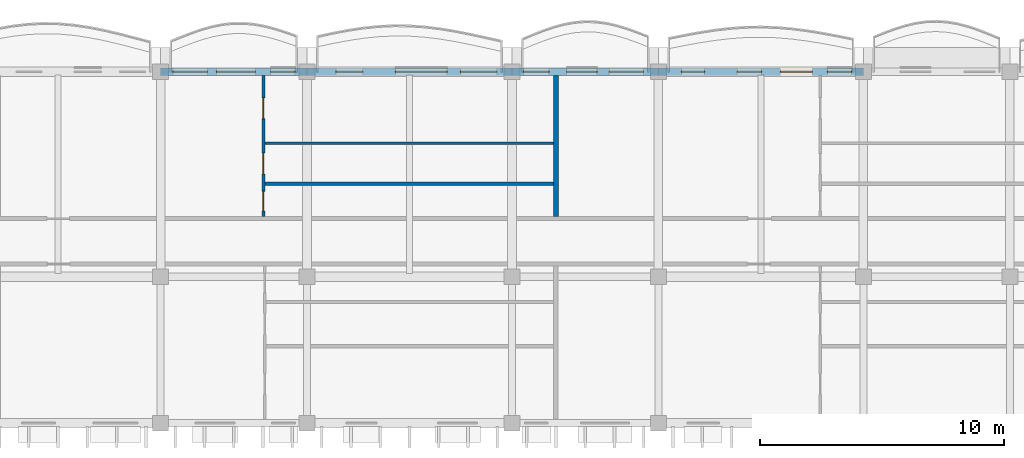
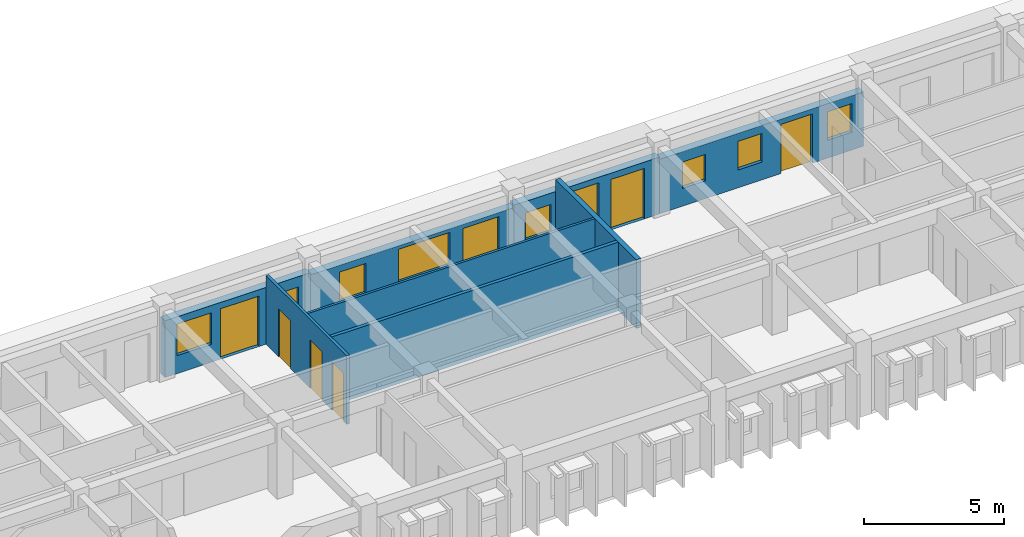
# One storey, part 38 of 76: 9 windows, 8 walls, 7 doors, 16 openings.
"""IFC4 building model written with IfcOpenShell, lengths in metres."""

from ifc_helpers import new_model, si_unit, direction, frame, frame_2d, origin, place, context, subcontext, project, spatial, rectangle, extrude, material, layer, layer_set, type_object, element, fill, save


model = new_model("IFC4")

# Units and contexts
model_context = context("Model", 3, precision=1e-05, world=origin(), true_north=direction((0.0, 1.0)))
body_context = subcontext(model_context, "Body", "Model", "MODEL_VIEW")
ifc_project = project(units=[si_unit("LENGTHUNIT", "METRE"), si_unit("AREAUNIT", "SQUARE_METRE"), si_unit("VOLUMEUNIT", "CUBIC_METRE"), si_unit("PLANEANGLEUNIT", "RADIAN"), si_unit("MASSUNIT", "GRAM", prefix="KILO"), si_unit("THERMODYNAMICTEMPERATUREUNIT", "KELVIN")], contexts=[model_context])

# Site, building, storey
site_placement = place(None, origin())
site = spatial("IfcSite", under=ifc_project, at=site_placement, CompositionType="ELEMENT")
building_placement = place(site_placement, origin())
building = spatial("IfcBuilding", under=site, at=building_placement, Name="Thalorik Housing Commons", CompositionType="ELEMENT")
storey_placement = place(building_placement, frame((0.0, 0.0, 18.0)))
storey = spatial("IfcBuildingStorey", under=building, at=storey_placement, Name="L05", CompositionType="ELEMENT", Elevation=18.0)

# Wall, openings, door, windows
ifc_material_1 = material(Name="White precast concrete C40/50", Category="concrete")
ifc_layer_1 = layer(ifc_material_1, 0.320068359375, Name="White precast concrete C40/50", Category="concrete")
ifc_layer_set_1 = layer_set([ifc_layer_1], Name="White precast concrete C40/50")
wall_type_1 = type_object("IfcWallType", Name="ARC-WAL-EXT-320", PredefinedType="STANDARD", material=ifc_layer_set_1)
wall_1_placement = place(storey_placement, frame((138.0, 123.60009765625, 0.0), z_axis=(0.0, 0.0, 1.0), x_axis=(-1.0, 0.0, 0.0)))
wall_1 = element("IfcWall", 1, at=wall_1_placement, inside=storey, type_object=wall_type_1, Name="L05 Exterior Wall WAL-EXT-L05-B-0566", PredefinedType="STANDARD", context=body_context, shape_type="SweptSolid", body=[
    extrude(rectangle(XDim=8.39990234375, YDim=0.320068359375, at=frame_2d((4.199951171875, 0.0))), origin(), (0.0, 0.0, 1.0), 2.375),
])
opening_1_placement = place(wall_1_placement, frame((2.097900390625, 0.0, 0.0)))
opening_1 = element("IfcOpeningElement", 2, at=opening_1_placement, cuts=wall_1, Name="Opening ED-0179", PredefinedType="OPENING", context=body_context, shape_type="SweptSolid", body=[
    extrude(rectangle(XDim=1.300048828125, YDim=2.14990234375, at=frame_2d((0.64990234375, 1.074951171875))), frame((0.0, 0.169921875, 0.0), z_axis=(0.0, -1.0, 0.0), x_axis=(1.0, 0.0, 0.0)), (0.0, 0.0, 1.0), 0.340087890625),
])
opening_2_placement = place(wall_1_placement, frame((0.47900390625, 0.0, 0.780029296875)))
opening_2 = element("IfcOpeningElement", 3, at=opening_2_placement, cuts=wall_1, Name="Opening W-02", PredefinedType="OPENING", context=body_context, shape_type="SweptSolid", body=[
    extrude(rectangle(XDim=1.0, YDim=1.25, at=frame_2d((0.5, 0.625))), frame((0.0, 0.169921875, 0.0), z_axis=(0.0, -1.0, 0.0), x_axis=(1.0, 0.0, 0.0)), (0.0, 0.0, 1.0), 0.340087890625),
])
opening_3_placement = place(wall_1_placement, frame((4.173583984375, 0.0, 0.780029296875)))
opening_3 = element("IfcOpeningElement", 4, at=opening_3_placement, cuts=wall_1, Name="Opening W-02", PredefinedType="OPENING", context=body_context, shape_type="SweptSolid", body=[
    extrude(rectangle(XDim=1.0, YDim=1.25, at=frame_2d((0.5, 0.625))), frame((0.0, 0.169921875, 0.0), z_axis=(0.0, -1.0, 0.0), x_axis=(1.0, 0.0, 0.0)), (0.0, 0.0, 1.0), 0.340087890625),
])
opening_4_placement = place(wall_1_placement, frame((6.509521484375, 0.0, 0.780029296875)))
opening_4 = element("IfcOpeningElement", 5, at=opening_4_placement, cuts=wall_1, Name="Opening W-43", PredefinedType="OPENING", context=body_context, shape_type="SweptSolid", body=[
    extrude(rectangle(XDim=0.949951171875, YDim=1.14990234375, at=frame_2d((0.47509765625, 0.574951171875))), frame((0.0, 0.169921875, 0.0), z_axis=(0.0, -1.0, 0.0), x_axis=(1.0, 0.0, 0.0)), (0.0, 0.0, 1.0), 0.340087890625),
])
ifc_material_2 = material(Name="Anodised aluminium and laminated safety glass", Category="aluminium")
door_type_1 = type_object("IfcDoorType", Name="ARC-DR-BAL-1300", OperationType="NOTDEFINED", PredefinedType="DOOR", material=ifc_material_2)
door_1_placement = place(opening_1_placement, frame((1.300048828125, 0.0, 0.0), z_axis=(0.0, 0.0, 1.0), x_axis=(-1.0, 0.0, 0.0)))
door_1 = element("IfcDoor", 6, at=door_1_placement, inside=storey, type_object=door_type_1, Name="L05 Block B Balcony Glazed Door", OperationType="SINGLE_SWING_RIGHT", OverallHeight=2.14990234375, OverallWidth=1.300048828125, PredefinedType="DOOR", context=body_context, shape_type="SweptSolid", body=[
    extrude(rectangle(XDim=1.300048828125, YDim=2.14990234375, at=frame_2d((0.64990234375, 1.074951171875))), frame((0.0, 0.02490234375, 0.0), z_axis=(0.0, -1.0, 0.0), x_axis=(1.0, 0.0, 0.0)), (0.0, 0.0, 1.0), 0.050048828125),
])
fill(opening_1, door_1)
ifc_material_3 = material(Name="Anodised aluminium and solar-control low-E glass", Category="aluminium")
window_type_1 = type_object("IfcWindowType", Name="ARC-WIN-02", PartitioningType="SINGLE_PANEL", PredefinedType="WINDOW", material=ifc_material_3)
window_1_placement = place(opening_2_placement, origin())
window_1 = element("IfcWindow", 7, at=window_1_placement, inside=storey, type_object=window_type_1, Name="L05 Facade Window 1024", OverallHeight=1.25, OverallWidth=1.0, PartitioningType="SINGLE_PANEL", PredefinedType="WINDOW", context=body_context, shape_type="SweptSolid", body=[
    extrude(rectangle(XDim=1.0, YDim=1.25, at=frame_2d((0.5, 0.625))), frame((0.0, 0.030029296875, 0.0), z_axis=(0.0, -1.0, 0.0), x_axis=(1.0, 0.0, 0.0)), (0.0, 0.0, 1.0), 0.06005859375),
])
fill(opening_2, window_1)
window_2_placement = place(opening_3_placement, origin())
window_2 = element("IfcWindow", 8, at=window_2_placement, inside=storey, type_object=window_type_1, Name="L05 Facade Window 1025", OverallHeight=1.25, OverallWidth=1.0, PartitioningType="SINGLE_PANEL", PredefinedType="WINDOW", context=body_context, shape_type="SweptSolid", body=[
    extrude(rectangle(XDim=1.0, YDim=1.25, at=frame_2d((0.5, 0.625))), frame((0.0, 0.030029296875, 0.0), z_axis=(0.0, -1.0, 0.0), x_axis=(1.0, 0.0, 0.0)), (0.0, 0.0, 1.0), 0.06005859375),
])
fill(opening_3, window_2)
window_type_2 = type_object("IfcWindowType", Name="ARC-WIN-43", PartitioningType="SINGLE_PANEL", PredefinedType="WINDOW", material=ifc_material_3)
window_3_placement = place(opening_4_placement, origin())
window_3 = element("IfcWindow", 9, at=window_3_placement, inside=storey, type_object=window_type_2, Name="L05 Facade Window 1026", OverallHeight=1.14990234375, OverallWidth=0.949951171875, PartitioningType="SINGLE_PANEL", PredefinedType="WINDOW", context=body_context, shape_type="SweptSolid", body=[
    extrude(rectangle(XDim=0.949951171875, YDim=1.14990234375, at=frame_2d((0.47509765625, 0.574951171875))), frame((0.0, 0.030029296875, 0.0), z_axis=(0.0, -1.0, 0.0), x_axis=(1.0, 0.0, 0.0)), (0.0, 0.0, 1.0), 0.06005859375),
])
fill(opening_4, window_3)

wall_2_placement = place(storey_placement, frame((129.60009765625, 123.60009765625, 0.0), z_axis=(0.0, 0.0, 1.0), x_axis=(-1.0, 0.0, 0.0)))
wall_2 = element("IfcWall", 10, at=wall_2_placement, inside=storey, type_object=wall_type_1, Name="L05 Exterior Wall WAL-EXT-L05-B-0567", PredefinedType="STANDARD", context=body_context, shape_type="SweptSolid", body=[
    extrude(rectangle(XDim=6.0, YDim=0.320068359375, at=frame_2d((3.0, 0.0))), origin(), (0.0, 0.0, 1.0), 2.47509765625),
])
opening_5_placement = place(wall_2_placement, frame((0.6201171875, 0.0, 0.0)))
opening_5 = element("IfcOpeningElement", 11, at=opening_5_placement, cuts=wall_2, Name="Opening ED-0180", PredefinedType="OPENING", context=body_context, shape_type="SweptSolid", body=[
    extrude(rectangle(XDim=1.39990234375, YDim=2.199951171875, at=frame_2d((0.699951171875, 1.10009765625))), frame((0.0, 0.169921875, 0.0), z_axis=(0.0, -1.0, 0.0), x_axis=(1.0, 0.0, 0.0)), (0.0, 0.0, 1.0), 0.340087890625),
])
opening_6_placement = place(wall_2_placement, frame((2.510009765625, 0.0, 0.780029296875)))
opening_6 = element("IfcOpeningElement", 12, at=opening_6_placement, cuts=wall_2, Name="Opening W-47", PredefinedType="OPENING", context=body_context, shape_type="SweptSolid", body=[
    extrude(rectangle(XDim=1.25, YDim=1.449951171875, at=frame_2d((0.625, 0.72509765625))), frame((0.0, 0.169921875, 0.0), z_axis=(0.0, -1.0, 0.0), x_axis=(1.0, 0.0, 0.0)), (0.0, 0.0, 1.0), 0.340087890625),
])
opening_7_placement = place(wall_2_placement, frame((4.47998046875, 0.0, 0.780029296875)))
opening_7 = element("IfcOpeningElement", 13, at=opening_7_placement, cuts=wall_2, Name="Opening W-44", PredefinedType="OPENING", context=body_context, shape_type="SweptSolid", body=[
    extrude(rectangle(XDim=1.050048828125, YDim=1.199951171875, at=frame_2d((0.52490234375, 0.60009765625))), frame((0.0, 0.169921875, 0.0), z_axis=(0.0, -1.0, 0.0), x_axis=(1.0, 0.0, 0.0)), (0.0, 0.0, 1.0), 0.340087890625),
])
door_type_2 = type_object("IfcDoorType", Name="ARC-DR-BAL-1400", OperationType="NOTDEFINED", PredefinedType="DOOR", material=ifc_material_2)
door_2_placement = place(opening_5_placement, frame((1.39990234375, 0.0, 0.0), z_axis=(0.0, 0.0, 1.0), x_axis=(-1.0, 0.0, 0.0)))
door_2 = element("IfcDoor", 14, at=door_2_placement, inside=storey, type_object=door_type_2, Name="L05 Block B Balcony Glazed Door", OperationType="SLIDING_TO_LEFT", OverallHeight=2.199951171875, OverallWidth=1.39990234375, PredefinedType="DOOR", context=body_context, shape_type="SweptSolid", body=[
    extrude(rectangle(XDim=1.39990234375, YDim=2.199951171875, at=frame_2d((0.699951171875, 1.10009765625))), frame((0.0, 0.02490234375, 0.0), z_axis=(0.0, -1.0, 0.0), x_axis=(1.0, 0.0, 0.0)), (0.0, 0.0, 1.0), 0.050048828125),
])
fill(opening_5, door_2)
window_type_3 = type_object("IfcWindowType", Name="ARC-WIN-44", PartitioningType="SINGLE_PANEL", PredefinedType="WINDOW", material=ifc_material_3)
window_4_placement = place(opening_7_placement, origin())
window_4 = element("IfcWindow", 15, at=window_4_placement, inside=storey, type_object=window_type_3, Name="L05 Facade Window 1028", OverallHeight=1.199951171875, OverallWidth=1.050048828125, PartitioningType="SINGLE_PANEL", PredefinedType="WINDOW", context=body_context, shape_type="SweptSolid", body=[
    extrude(rectangle(XDim=1.050048828125, YDim=1.199951171875, at=frame_2d((0.52490234375, 0.60009765625))), frame((0.0, 0.030029296875, 0.0), z_axis=(0.0, -1.0, 0.0), x_axis=(1.0, 0.0, 0.0)), (0.0, 0.0, 1.0), 0.06005859375),
])
fill(opening_7, window_4)
window_type_4 = type_object("IfcWindowType", Name="ARC-WIN-47", PartitioningType="SINGLE_PANEL", PredefinedType="WINDOW", material=ifc_material_3)
window_5_placement = place(opening_6_placement, origin())
window_5 = element("IfcWindow", 16, at=window_5_placement, inside=storey, type_object=window_type_4, Name="L05 Facade Window 1027", OverallHeight=1.449951171875, OverallWidth=1.25, PartitioningType="SINGLE_PANEL", PredefinedType="WINDOW", context=body_context, shape_type="SweptSolid", body=[
    extrude(rectangle(XDim=1.25, YDim=1.449951171875, at=frame_2d((0.625, 0.72509765625))), frame((0.0, 0.030029296875, 0.0), z_axis=(0.0, -1.0, 0.0), x_axis=(1.0, 0.0, 0.0)), (0.0, 0.0, 1.0), 0.06005859375),
])
fill(opening_6, window_5)

wall_3_placement = place(storey_placement, frame((123.60009765625, 123.60009765625, 0.0), z_axis=(0.0, 0.0, 1.0), x_axis=(-1.0, 0.0, 0.0)))
wall_3 = element("IfcWall", 17, at=wall_3_placement, inside=storey, type_object=wall_type_1, Name="L05 Exterior Wall WAL-EXT-L05-B-0568", PredefinedType="STANDARD", context=body_context, shape_type="SweptSolid", body=[
    extrude(rectangle(XDim=8.400146484375, YDim=0.320068359375, at=frame_2d((4.2001953125, 0.0))), origin(), (0.0, 0.0, 1.0), 2.375),
])
opening_8_placement = place(wall_3_placement, frame((0.6201171875, 0.0, 0.0)))
opening_8 = element("IfcOpeningElement", 18, at=opening_8_placement, cuts=wall_3, Name="Opening ED-0181", PredefinedType="OPENING", context=body_context, shape_type="SweptSolid", body=[
    extrude(rectangle(XDim=1.5, YDim=2.199951171875, at=frame_2d((0.75, 1.10009765625))), frame((0.0, 0.169921875, 0.0), z_axis=(0.0, -1.0, 0.0), x_axis=(1.0, 0.0, 0.0)), (0.0, 0.0, 1.0), 0.340087890625),
])
opening_9_placement = place(wall_3_placement, frame((2.655029296875, 0.0, 0.780029296875)))
opening_9 = element("IfcOpeningElement", 19, at=opening_9_placement, cuts=wall_3, Name="Opening W-64", PredefinedType="OPENING", context=body_context, shape_type="SweptSolid", body=[
    extrude(rectangle(XDim=2.1201171875, YDim=1.43994140625, at=frame_2d((1.06005859375, 0.719970703125))), frame((0.0, 0.169921875, 0.0), z_axis=(0.0, -1.0, 0.0), x_axis=(1.0, 0.0, 0.0)), (0.0, 0.0, 1.0), 0.340087890625),
])
opening_10_placement = place(wall_3_placement, frame((6.114990234375, 0.0, 0.780029296875)))
opening_10 = element("IfcOpeningElement", 20, at=opening_10_placement, cuts=wall_3, Name="Opening W-03", PredefinedType="OPENING", context=body_context, shape_type="SweptSolid", body=[
    extrude(rectangle(XDim=1.10009765625, YDim=1.300048828125, at=frame_2d((0.550048828125, 0.64990234375))), frame((0.0, 0.169921875, 0.0), z_axis=(0.0, -1.0, 0.0), x_axis=(1.0, 0.0, 0.0)), (0.0, 0.0, 1.0), 0.340087890625),
])
door_type_3 = type_object("IfcDoorType", Name="ARC-DR-BAL-1500", OperationType="NOTDEFINED", PredefinedType="DOOR", material=ifc_material_2)
door_3_placement = place(opening_8_placement, frame((1.5, 0.0, 0.0), z_axis=(0.0, 0.0, 1.0), x_axis=(-1.0, 0.0, 0.0)))
door_3 = element("IfcDoor", 21, at=door_3_placement, inside=storey, type_object=door_type_3, Name="L05 Block B Balcony Glazed Door", OperationType="SLIDING_TO_RIGHT", OverallHeight=2.199951171875, OverallWidth=1.5, PredefinedType="DOOR", context=body_context, shape_type="SweptSolid", body=[
    extrude(rectangle(XDim=1.5, YDim=2.199951171875, at=frame_2d((0.75, 1.10009765625))), frame((0.0, 0.02490234375, 0.0), z_axis=(0.0, -1.0, 0.0), x_axis=(1.0, 0.0, 0.0)), (0.0, 0.0, 1.0), 0.050048828125),
])
fill(opening_8, door_3)
window_type_5 = type_object("IfcWindowType", Name="ARC-WIN-03", PartitioningType="SINGLE_PANEL", PredefinedType="WINDOW", material=ifc_material_3)
window_6_placement = place(opening_10_placement, origin())
window_6 = element("IfcWindow", 22, at=window_6_placement, inside=storey, type_object=window_type_5, Name="L05 Facade Window 1030", OverallHeight=1.300048828125, OverallWidth=1.10009765625, PartitioningType="SINGLE_PANEL", PredefinedType="WINDOW", context=body_context, shape_type="SweptSolid", body=[
    extrude(rectangle(XDim=1.10009765625, YDim=1.300048828125, at=frame_2d((0.550048828125, 0.64990234375))), frame((0.0, 0.030029296875, 0.0), z_axis=(0.0, -1.0, 0.0), x_axis=(1.0, 0.0, 0.0)), (0.0, 0.0, 1.0), 0.06005859375),
])
fill(opening_10, window_6)
window_type_6 = type_object("IfcWindowType", Name="ARC-WIN-64", PartitioningType="DOUBLE_PANEL_VERTICAL", PredefinedType="WINDOW", material=ifc_material_3)
window_7_placement = place(opening_9_placement, origin())
window_7 = element("IfcWindow", 23, at=window_7_placement, inside=storey, type_object=window_type_6, Name="L05 Facade Window 1029", OverallHeight=1.43994140625, OverallWidth=2.1201171875, PartitioningType="DOUBLE_PANEL_VERTICAL", PredefinedType="WINDOW", context=body_context, shape_type="SweptSolid", body=[
    extrude(rectangle(XDim=2.1201171875, YDim=1.43994140625, at=frame_2d((1.06005859375, 0.719970703125))), frame((0.0, 0.030029296875, 0.0), z_axis=(0.0, -1.0, 0.0), x_axis=(1.0, 0.0, 0.0)), (0.0, 0.0, 1.0), 0.06005859375),
])
fill(opening_9, window_7)

wall_4_placement = place(storey_placement, frame((115.199951171875, 123.60009765625, 0.0), z_axis=(0.0, 0.0, 1.0), x_axis=(-1.0, 0.0, 0.0)))
wall_4 = element("IfcWall", 24, at=wall_4_placement, inside=storey, type_object=wall_type_1, Name="L05 Exterior Wall WAL-EXT-L05-B-0569", PredefinedType="STANDARD", context=body_context, shape_type="SweptSolid", body=[
    extrude(rectangle(XDim=6.0, YDim=0.320068359375, at=frame_2d((3.0, 0.0))), origin(), (0.0, 0.0, 1.0), 2.47509765625),
])
opening_11_placement = place(wall_4_placement, frame((2.1171875, 0.0, 0.0)))
opening_11 = element("IfcOpeningElement", 25, at=opening_11_placement, cuts=wall_4, Name="Opening ED-0182", PredefinedType="OPENING", context=body_context, shape_type="SweptSolid", body=[
    extrude(rectangle(XDim=1.60009765625, YDim=2.199951171875, at=frame_2d((0.800048828125, 1.10009765625))), frame((0.0, 0.169921875, 0.0), z_axis=(0.0, -1.0, 0.0), x_axis=(1.0, 0.0, 0.0)), (0.0, 0.0, 1.0), 0.340087890625),
])
opening_12_placement = place(wall_4_placement, frame((0.488525390625, 0.0, 0.780029296875)))
opening_12 = element("IfcOpeningElement", 26, at=opening_12_placement, cuts=wall_4, Name="Opening W-02", PredefinedType="OPENING", context=body_context, shape_type="SweptSolid", body=[
    extrude(rectangle(XDim=1.0, YDim=1.25, at=frame_2d((0.5, 0.625))), frame((0.0, 0.169921875, 0.0), z_axis=(0.0, -1.0, 0.0), x_axis=(1.0, 0.0, 0.0)), (0.0, 0.0, 1.0), 0.340087890625),
])
opening_13_placement = place(wall_4_placement, frame((4.07861328125, 0.0, 0.780029296875)))
opening_13 = element("IfcOpeningElement", 27, at=opening_13_placement, cuts=wall_4, Name="Opening W-50", PredefinedType="OPENING", context=body_context, shape_type="SweptSolid", body=[
    extrude(rectangle(XDim=1.419921875, YDim=1.3798828125, at=frame_2d((0.7099609375, 0.68994140625))), frame((0.0, 0.169921875, 0.0), z_axis=(0.0, -1.0, 0.0), x_axis=(1.0, 0.0, 0.0)), (0.0, 0.0, 1.0), 0.340087890625),
])
door_type_4 = type_object("IfcDoorType", Name="ARC-DR-BAL-1600", OperationType="NOTDEFINED", PredefinedType="DOOR", material=ifc_material_2)
door_4_placement = place(opening_11_placement, frame((1.60009765625, 0.0, 0.0), z_axis=(0.0, 0.0, 1.0), x_axis=(-1.0, 0.0, 0.0)))
door_4 = element("IfcDoor", 28, at=door_4_placement, inside=storey, type_object=door_type_4, Name="L05 Block B Balcony Glazed Door", OperationType="SLIDING_TO_LEFT", OverallHeight=2.199951171875, OverallWidth=1.60009765625, PredefinedType="DOOR", context=body_context, shape_type="SweptSolid", body=[
    extrude(rectangle(XDim=1.60009765625, YDim=2.199951171875, at=frame_2d((0.800048828125, 1.10009765625))), frame((0.0, 0.02490234375, 0.0), z_axis=(0.0, -1.0, 0.0), x_axis=(1.0, 0.0, 0.0)), (0.0, 0.0, 1.0), 0.050048828125),
])
fill(opening_11, door_4)
window_8_placement = place(opening_12_placement, origin())
window_8 = element("IfcWindow", 29, at=window_8_placement, inside=storey, type_object=window_type_1, Name="L05 Facade Window 1031", OverallHeight=1.25, OverallWidth=1.0, PartitioningType="SINGLE_PANEL", PredefinedType="WINDOW", context=body_context, shape_type="SweptSolid", body=[
    extrude(rectangle(XDim=1.0, YDim=1.25, at=frame_2d((0.5, 0.625))), frame((0.0, 0.030029296875, 0.0), z_axis=(0.0, -1.0, 0.0), x_axis=(1.0, 0.0, 0.0)), (0.0, 0.0, 1.0), 0.06005859375),
])
fill(opening_12, window_8)
window_type_7 = type_object("IfcWindowType", Name="ARC-WIN-50", PartitioningType="SINGLE_PANEL", PredefinedType="WINDOW", material=ifc_material_3)
window_9_placement = place(opening_13_placement, origin())
window_9 = element("IfcWindow", 30, at=window_9_placement, inside=storey, type_object=window_type_7, Name="L05 Facade Window 1032", OverallHeight=1.3798828125, OverallWidth=1.419921875, PartitioningType="SINGLE_PANEL", PredefinedType="WINDOW", context=body_context, shape_type="SweptSolid", body=[
    extrude(rectangle(XDim=1.419921875, YDim=1.3798828125, at=frame_2d((0.7099609375, 0.68994140625))), frame((0.0, 0.030029296875, 0.0), z_axis=(0.0, -1.0, 0.0), x_axis=(1.0, 0.0, 0.0)), (0.0, 0.0, 1.0), 0.06005859375),
])
fill(opening_13, window_9)

# Wall
ifc_material_4 = material(Name="Gypsum light stud partition", Category="masonry")
ifc_layer_2 = layer(ifc_material_4, 0.10009765625, Name="Gypsum light stud partition", Category="masonry")
ifc_layer_set_2 = layer_set([ifc_layer_2], Name="Gypsum light stud partition")
wall_type_2 = type_object("IfcWallType", Name="ARC-WAL-PART-100", PredefinedType="PARTITIONING", material=ifc_layer_set_2)
wall_5_placement = place(storey_placement, frame((113.472412109375, 120.67919921875, 0.0), z_axis=(0.0, 0.0, 1.0), x_axis=(1.0, 0.0, 0.0)))
element("IfcWall", 31, at=wall_5_placement, inside=storey, type_object=wall_type_2, Name="L05 Unit 2B Bedroom Partition", PredefinedType="PARTITIONING", context=body_context, shape_type="SweptSolid", body=[
    extrude(rectangle(XDim=11.82568359375, YDim=0.10009765625, at=frame_2d((5.912841796875, 0.0))), origin(), (0.0, 0.0, 1.0), 3.0),
])

# Wall, openings, doors
ifc_material_5 = material(Name="Gypsum moisture-resistant partition", Category="masonry")
ifc_layer_3 = layer(ifc_material_5, 0.114990234375, Name="Gypsum moisture-resistant partition", Category="masonry")
ifc_layer_set_3 = layer_set([ifc_layer_3], Name="Gypsum moisture-resistant partition")
wall_type_3 = type_object("IfcWallType", Name="ARC-WAL-PART-115", PredefinedType="PARTITIONING", material=ifc_layer_set_3)
wall_6_placement = place(storey_placement, frame((113.412841796875, 117.66455078125, 0.0), z_axis=(0.0, 0.0, 1.0), x_axis=(0.0, 1.0, 0.0)))
wall_6 = element("IfcWall", 32, at=wall_6_placement, inside=storey, type_object=wall_type_3, Name="L05 Unit 2B Spine Partition", PredefinedType="PARTITIONING", context=body_context, shape_type="SweptSolid", body=[
    extrude(rectangle(XDim=5.7734375, YDim=0.114990234375, at=frame_2d((2.88671875, 0.0))), origin(), (0.0, 0.0, 1.0), 3.0),
])
opening_14_placement = place(wall_6_placement, frame((0.230712890625, 0.0, 0.0)))
opening_14 = element("IfcOpeningElement", 33, at=opening_14_placement, cuts=wall_6, Name="Opening ID-1181", PredefinedType="OPENING", context=body_context, shape_type="SweptSolid", body=[
    extrude(rectangle(XDim=0.800048828125, YDim=2.10009765625, at=frame_2d((0.39990234375, 1.050048828125))), frame((0.0, 0.0673828125, 0.0), z_axis=(0.0, -1.0, 0.0), x_axis=(1.0, 0.0, 0.0)), (0.0, 0.0, 1.0), 0.135009765625),
])
opening_15_placement = place(wall_6_placement, frame((1.75537109375, 0.0, 0.0)))
opening_15 = element("IfcOpeningElement", 34, at=opening_15_placement, cuts=wall_6, Name="Opening ID-1182", PredefinedType="OPENING", context=body_context, shape_type="SweptSolid", body=[
    extrude(rectangle(XDim=0.85009765625, YDim=2.10009765625, at=frame_2d((0.425048828125, 1.050048828125))), frame((0.0, 0.0673828125, 0.0), z_axis=(0.0, -1.0, 0.0), x_axis=(1.0, 0.0, 0.0)), (0.0, 0.0, 1.0), 0.135009765625),
])
opening_16_placement = place(wall_6_placement, frame((4.02001953125, 0.0, 0.0)))
opening_16 = element("IfcOpeningElement", 35, at=opening_16_placement, cuts=wall_6, Name="Opening ID-1183", PredefinedType="OPENING", context=body_context, shape_type="SweptSolid", body=[
    extrude(rectangle(XDim=0.85009765625, YDim=2.10009765625, at=frame_2d((0.425048828125, 1.050048828125))), frame((0.0, 0.0673828125, 0.0), z_axis=(0.0, -1.0, 0.0), x_axis=(1.0, 0.0, 0.0)), (0.0, 0.0, 1.0), 0.135009765625),
])
ifc_material_6 = material(Name="Moisture-resistant timber", Category="wood")
door_type_5 = type_object("IfcDoorType", Name="ARC-DR-INT-800", OperationType="NOTDEFINED", PredefinedType="DOOR", material=ifc_material_6)
door_5_placement = place(opening_14_placement, origin())
door_5 = element("IfcDoor", 36, at=door_5_placement, inside=storey, type_object=door_type_5, Name="L05 Flat Bathroom Door", OperationType="SINGLE_SWING_RIGHT", OverallHeight=2.10009765625, OverallWidth=0.800048828125, PredefinedType="DOOR", context=body_context, shape_type="SweptSolid", body=[
    extrude(rectangle(XDim=0.800048828125, YDim=2.10009765625, at=frame_2d((0.39990234375, 1.050048828125))), frame((0.0, 0.02490234375, 0.0), z_axis=(0.0, -1.0, 0.0), x_axis=(1.0, 0.0, 0.0)), (0.0, 0.0, 1.0), 0.050048828125),
])
fill(opening_14, door_5)
ifc_material_7 = material(Name="Engineered oak timber", Category="wood")
door_type_6 = type_object("IfcDoorType", Name="ARC-DR-INT-850", OperationType="NOTDEFINED", PredefinedType="DOOR", material=ifc_material_7)
door_6_placement = place(opening_15_placement, origin())
door_6 = element("IfcDoor", 37, at=door_6_placement, inside=storey, type_object=door_type_6, Name="L05 Eat-In Kitchen Door", OperationType="SINGLE_SWING_LEFT", OverallHeight=2.10009765625, OverallWidth=0.85009765625, PredefinedType="DOOR", context=body_context, shape_type="SweptSolid", body=[
    extrude(rectangle(XDim=0.85009765625, YDim=2.10009765625, at=frame_2d((0.425048828125, 1.050048828125))), frame((0.0, 0.02490234375, 0.0), z_axis=(0.0, -1.0, 0.0), x_axis=(1.0, 0.0, 0.0)), (0.0, 0.0, 1.0), 0.050048828125),
])
fill(opening_15, door_6)
door_7_placement = place(opening_16_placement, origin())
door_7 = element("IfcDoor", 38, at=door_7_placement, inside=storey, type_object=door_type_6, Name="L05 Master Bedroom Door", OperationType="SINGLE_SWING_RIGHT", OverallHeight=2.10009765625, OverallWidth=0.85009765625, PredefinedType="DOOR", context=body_context, shape_type="SweptSolid", body=[
    extrude(rectangle(XDim=0.85009765625, YDim=2.10009765625, at=frame_2d((0.425048828125, 1.050048828125))), frame((0.0, 0.02490234375, 0.0), z_axis=(0.0, -1.0, 0.0), x_axis=(1.0, 0.0, 0.0)), (0.0, 0.0, 1.0), 0.050048828125),
])
fill(opening_16, door_7)

# Walls
ifc_material_8 = material(Name="Ceramic masonry partition wall", Category="masonry")
ifc_layer_4 = layer(ifc_material_8, 0.139892578125, Name="Ceramic masonry partition wall", Category="masonry")
ifc_layer_set_4 = layer_set([ifc_layer_4], Name="Ceramic masonry partition wall")
wall_type_4 = type_object("IfcWallType", Name="ARC-WAL-PART-140", PredefinedType="PARTITIONING", material=ifc_layer_set_4)
wall_7_placement = place(storey_placement, frame((113.472412109375, 119.010498046875, 0.0), z_axis=(0.0, 0.0, 1.0), x_axis=(1.0, 0.0, 0.0)))
element("IfcWall", 39, at=wall_7_placement, inside=storey, type_object=wall_type_4, Name="L05 Unit 2B Wet Wall", PredefinedType="PARTITIONING", context=body_context, shape_type="SweptSolid", body=[
    extrude(rectangle(XDim=11.82568359375, YDim=0.139892578125, at=frame_2d((5.912841796875, 0.0))), origin(), (0.0, 0.0, 1.0), 3.0),
])
ifc_material_9 = material(Name="Precast concrete C40/50 acoustic wall", Category="concrete")
ifc_layer_5 = layer(ifc_material_9, 0.199951171875, Name="Precast concrete C40/50 acoustic wall", Category="concrete")
ifc_layer_set_5 = layer_set([ifc_layer_5], Name="Precast concrete C40/50 acoustic wall")
wall_type_5 = type_object("IfcWallType", Name="ARC-WAL-PARTY-200", PredefinedType="PARTITIONING", material=ifc_layer_set_5)
wall_8_placement = place(storey_placement, frame((125.39990234375, 117.66455078125, 0.0), z_axis=(0.0, 0.0, 1.0), x_axis=(0.0, 1.0, 0.0)))
element("IfcWall", 40, at=wall_8_placement, inside=storey, type_object=wall_type_5, Name="L05 Inter-Tenancy Wall 2B", PredefinedType="PARTITIONING", context=body_context, shape_type="SweptSolid", body=[
    extrude(rectangle(XDim=5.7734375, YDim=0.199951171875, at=frame_2d((2.88671875, 0.0))), origin(), (0.0, 0.0, 1.0), 3.0),
])

save(model, "model.ifc")
